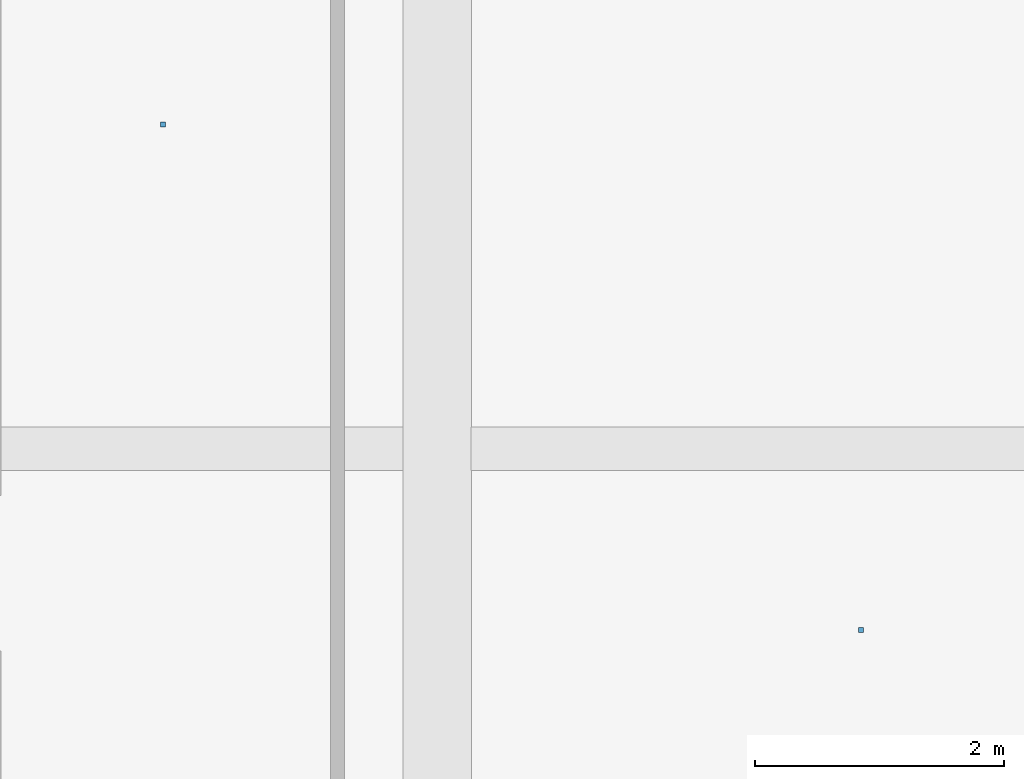
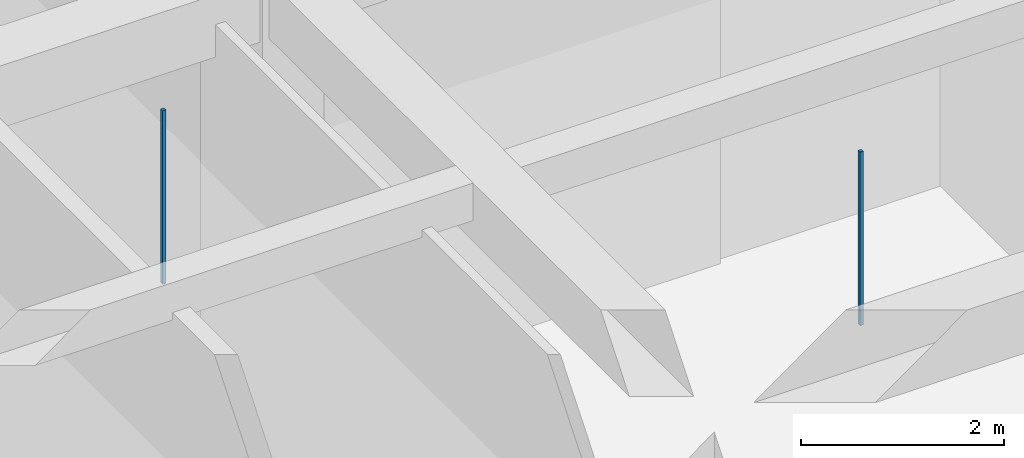
# One storey, part 100 of 167: 2 discrete accessories.
"""IFC4 building model written with IfcOpenShell, lengths in metres."""

from ifc_helpers import new_model, si_unit, direction, frame, origin, origin_2d, place, context, subcontext, project, spatial, rectangle, extrude, material, type_object, element, save


model = new_model("IFC4")

# Units and contexts
model_context = context("Model", 3, precision=1e-05, world=origin(), true_north=direction((0.0, 1.0)))
body_context = subcontext(model_context, "Body", "Model", "MODEL_VIEW")
ifc_project = project(units=[si_unit("LENGTHUNIT", "METRE"), si_unit("AREAUNIT", "SQUARE_METRE"), si_unit("VOLUMEUNIT", "CUBIC_METRE"), si_unit("PLANEANGLEUNIT", "RADIAN"), si_unit("MASSUNIT", "GRAM", prefix="KILO")], contexts=[model_context])

# Site, building, storey
site_placement = place(None, origin())
site = spatial("IfcSite", under=ifc_project, at=site_placement, CompositionType="ELEMENT")
building_placement = place(site_placement, origin())
building = spatial("IfcBuilding", under=site, at=building_placement, Name="Varncliffe General Hospital", CompositionType="ELEMENT")
storey_placement = place(building_placement, origin())
storey = spatial("IfcBuildingStorey", under=building, at=storey_placement, Name="L00", CompositionType="ELEMENT", Elevation=0.0)

# Discrete accessories
ifc_material = material(Name="Powder-coated hospital steel guardrail and handrail", Category="steel")
discrete_accessory_type = type_object("IfcDiscreteAccessoryType", Name="Suspended Ceiling Hanger Bracket CH01", PredefinedType="BRACKET", material=ifc_material)
for number, where, z_axis, x_axis, name in (
    (1, (14.60009765625, 98.0, 3.18994140625), (0.0, 0.0, 1.0), (1.0, 0.0, 0.0), "L00 Suspended Ceiling Hanger 7"),
    (2, (20.199951171875, 93.945068359375, 3.18994140625), (0.0, 0.0, 1.0), (1.0, 0.0, 0.0), "L00 Suspended Ceiling Hanger 39"),
):
    element("IfcDiscreteAccessory", number, at=place(storey_placement, frame(where, z_axis=z_axis, x_axis=x_axis)), inside=storey, type_object=discrete_accessory_type, Name=name, PredefinedType="BRACKET", context=body_context, shape_type="SweptSolid", body=[
        extrude(rectangle(XDim=0.0400390625, YDim=0.0400390625, at=origin_2d()), origin(), (0.0, 0.0, 1.0), 2.090087890625),
    ])

save(model, "model.ifc")
